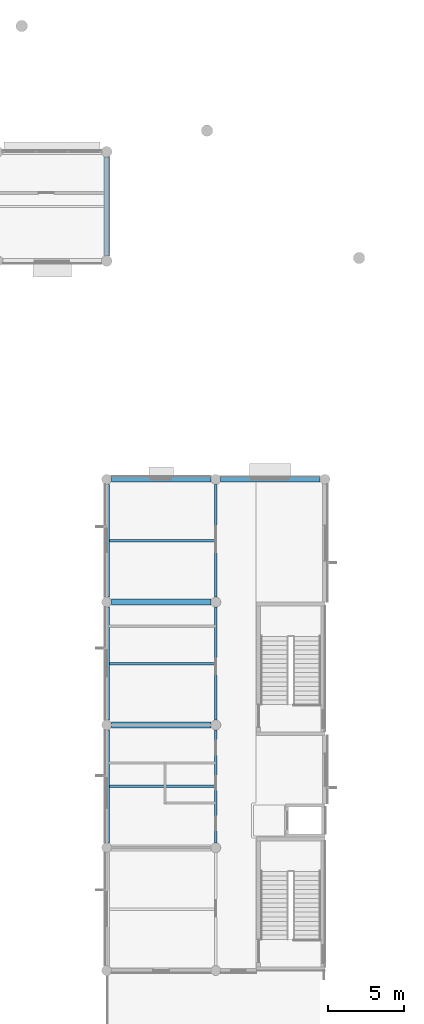
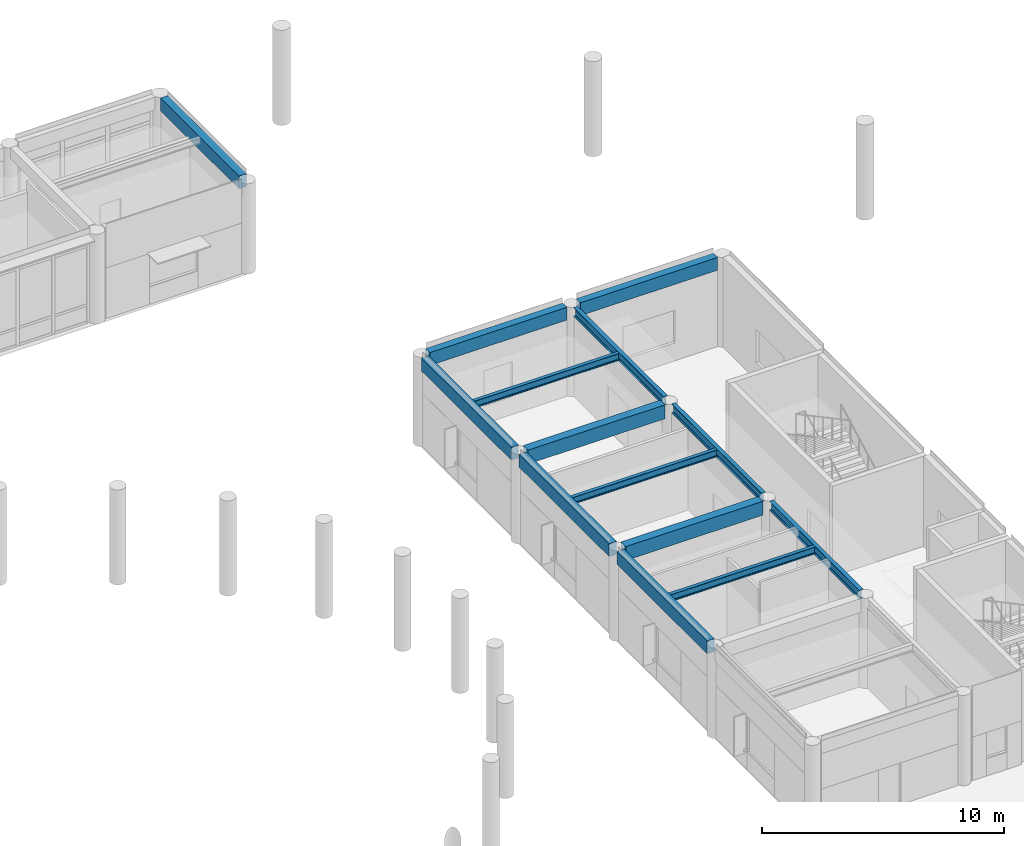
# One storey, part 30 of 92: 14 beams.
"""IFC4 building model written with IfcOpenShell, lengths in metres."""

from ifc_helpers import new_model, si_unit, direction, frame, origin, origin_2d, place, context, subcontext, project, spatial, rectangle, i_section, extrude, material, material_profile, profile_set, type_object, element, save


model = new_model("IFC4")

# Units and contexts
model_context = context("Model", 3, precision=1e-05, world=origin(), true_north=direction((0.0, 1.0)))
body_context = subcontext(model_context, "Body", "Model", "MODEL_VIEW")
ifc_project = project(units=[si_unit("LENGTHUNIT", "METRE"), si_unit("AREAUNIT", "SQUARE_METRE"), si_unit("VOLUMEUNIT", "CUBIC_METRE"), si_unit("PLANEANGLEUNIT", "RADIAN"), si_unit("MASSUNIT", "GRAM", prefix="KILO")], contexts=[model_context])

# Site, building, storey
site_placement = place(None, origin())
site = spatial("IfcSite", under=ifc_project, at=site_placement, CompositionType="ELEMENT")
building_placement = place(site_placement, origin())
building = spatial("IfcBuilding", under=site, at=building_placement, Name="Namkhue Oval Health Centre", CompositionType="ELEMENT")
storey_placement = place(building_placement, frame((0.0, 0.0, 4.800048828125)))
storey = spatial("IfcBuildingStorey", under=building, at=storey_placement, Name="L01", CompositionType="ELEMENT", Elevation=4.800048828125)

# Beams
ifc_material_1 = material(Name="Structural steel EN 10025-2 S355JR (TCVN 5575:2024)", Category="steel")
ifc_material_profile_1 = material_profile(ifc_material_1, i_section(OverallWidth=0.18994140625, OverallDepth=0.449951171875, WebThickness=0.009521484375, FlangeThickness=0.0146484375, FilletRadius=0.02099609375, at=origin_2d()), Name="IPE 450")
ifc_profile_set_1 = profile_set([ifc_material_profile_1], Name="Structural steel EN 10025-2 S355JR (TCVN 5575:2024)")
beam_type_1 = type_object("IfcBeamType", Name="FLOOR BEAM STEEL IPE 450", PredefinedType="BEAM", material=ifc_profile_set_1)
for number, where, z_axis, x_axis, name in (
    (1, (144.0, 51.625, 4.3349609375), (0.0, 1.0, 0.0), (-1.0, 0.0, 0.0), "Volume V6 L02 Beam 21/H-J"),
    (2, (144.0, 59.72509765625, 4.3349609375), (0.0, 1.0, 0.0), (-1.0, 0.0, 0.0), "Volume V6 L02 Beam 21/J-K"),
    (3, (144.0, 67.824951171875, 4.29296875), (0.0, 1.0, 0.0), (-1.0, 0.0, 0.0), "Volume V6 L02 Beam 21/K-L"),
):
    element("IfcBeam", number, at=place(storey_placement, frame(where, z_axis=z_axis, x_axis=x_axis)), inside=storey, type_object=beam_type_1, Name=name, PredefinedType="BEAM", context=body_context, shape_type="SweptSolid", body=[
        extrude(i_section(OverallWidth=0.18994140625, OverallDepth=0.449951171875, WebThickness=0.009521484375, FlangeThickness=0.0146484375, FilletRadius=0.02099609375, at=origin_2d()), origin(), (0.0, 0.0, 1.0), 7.449951171875),
    ])
ifc_material_2 = material(Name="Reinforced concrete C35/45 (TCVN B40)", Category="concrete")
ifc_material_profile_2 = material_profile(ifc_material_2, rectangle(XDim=0.35009765625, YDim=0.64990234375, at=origin_2d()), Name="RC 350x650")
ifc_profile_set_2 = profile_set([ifc_material_profile_2], Name="Reinforced concrete C35/45 (TCVN B40)")
beam_type_2 = type_object("IfcBeamType", Name="PERIMETER SPANDREL BEAM 350X650", PredefinedType="SPANDREL", material=ifc_profile_set_2)
beam_placement = place(storey_placement, frame((136.800048828125, 90.35009765625, 4.237060546875), z_axis=(0.0, 1.0, 0.0), x_axis=(-1.0, 0.0, 0.0)))
element("IfcBeam", 4, at=beam_placement, inside=storey, type_object=beam_type_2, Name="Volume V3 L02 Beam 20/N-O", PredefinedType="SPANDREL", context=body_context, shape_type="SweptSolid", body=[
    extrude(rectangle(XDim=0.35009765625, YDim=0.64990234375, at=origin_2d()), origin(), (0.0, 0.0, 1.0), 6.5),
])
for number, where, z_axis, x_axis, name in (
    (5, (137.125, 75.60009765625, 4.19287109375), (1.0, 0.0, 0.0), (0.0, 1.0, 0.0), "Volume V6 L02 Girder L/20-21"),
    (6, (144.324951171875, 75.60009765625, 4.19287109375), (1.0, 0.0, 0.0), (0.0, 1.0, 0.0), "Volume V6 L02 Girder L/21-22"),
):
    element("IfcBeam", number, at=place(storey_placement, frame(where, z_axis=z_axis, x_axis=x_axis)), inside=storey, type_object=beam_type_2, Name=name, PredefinedType="SPANDREL", context=body_context, shape_type="SweptSolid", body=[
        extrude(rectangle(XDim=0.35009765625, YDim=0.64990234375, at=origin_2d()), origin(), (0.0, 0.0, 1.0), 6.550048828125),
    ])
for number, where, z_axis, x_axis, name in (
    (7, (136.800048828125, 51.625, 4.23486328125), (0.0, 1.0, 0.0), (-1.0, 0.0, 0.0), "Volume V6 L02 Beam 20/H-J"),
    (8, (136.800048828125, 59.72509765625, 4.23486328125), (0.0, 1.0, 0.0), (-1.0, 0.0, 0.0), "Volume V6 L02 Beam 20/J-K"),
    (9, (136.800048828125, 67.824951171875, 4.19287109375), (0.0, 1.0, 0.0), (-1.0, 0.0, 0.0), "Volume V6 L02 Beam 20/K-L"),
):
    element("IfcBeam", number, at=place(storey_placement, frame(where, z_axis=z_axis, x_axis=x_axis)), inside=storey, type_object=beam_type_2, Name=name, PredefinedType="SPANDREL", context=body_context, shape_type="SweptSolid", body=[
        extrude(rectangle(XDim=0.35009765625, YDim=0.64990234375, at=origin_2d()), origin(), (0.0, 0.0, 1.0), 7.449951171875),
    ])
ifc_material_profile_3 = material_profile(ifc_material_2, rectangle(XDim=0.39990234375, YDim=0.699951171875, at=origin_2d()), Name="RC 400x700")
ifc_profile_set_3 = profile_set([ifc_material_profile_3], Name="Reinforced concrete C35/45 (TCVN B40)")
beam_type_3 = type_object("IfcBeamType", Name="PRIMARY GIRDER RC 400X700", PredefinedType="USERDEFINED", material=ifc_profile_set_3)
for number, where, z_axis, x_axis, name in (
    (10, (137.125, 59.39990234375, 4.2099609375), (1.0, 0.0, 0.0), (0.0, 1.0, 0.0), "Volume V6 L02 Girder J/20-21"),
    (11, (137.125, 67.5, 4.16796875), (1.0, 0.0, 0.0), (0.0, 1.0, 0.0), "Volume V6 L02 Girder K/20-21"),
):
    element("IfcBeam", number, at=place(storey_placement, frame(where, z_axis=z_axis, x_axis=x_axis)), inside=storey, type_object=beam_type_3, Name=name, ObjectType="GIRDER", PredefinedType="USERDEFINED", context=body_context, shape_type="SweptSolid", body=[
        extrude(rectangle(XDim=0.39990234375, YDim=0.699951171875, at=origin_2d()), origin(), (0.0, 0.0, 1.0), 6.550048828125),
    ])
ifc_material_profile_4 = material_profile(ifc_material_1, i_section(OverallWidth=0.169921875, OverallDepth=0.360107421875, WebThickness=0.008056640625, FlangeThickness=0.0126953125, FilletRadius=0.01806640625, at=origin_2d()), Name="IPE 360")
ifc_profile_set_4 = profile_set([ifc_material_profile_4], Name="Structural steel EN 10025-2 S355JR (TCVN 5575:2024)")
beam_type_4 = type_object("IfcBeamType", Name="SECONDARY JOIST STEEL IPE 360", PredefinedType="JOIST", material=ifc_profile_set_4)
for number, where, z_axis, x_axis, name in (
    (12, (136.97509765625, 55.35009765625, 4.3798828125), (1.0, 0.0, 0.0), (0.0, 1.0, 0.0), "Volume V6 L02 Secondary Joist 20-21"),
    (13, (136.97509765625, 63.449951171875, 4.3798828125), (1.0, 0.0, 0.0), (0.0, 1.0, 0.0), "Volume V6 L02 Secondary Joist 20-21"),
    (14, (136.97509765625, 71.550048828125, 4.337890625), (1.0, 0.0, 0.0), (0.0, 1.0, 0.0), "Volume V6 L02 Secondary Joist 20-21"),
):
    element("IfcBeam", number, at=place(storey_placement, frame(where, z_axis=z_axis, x_axis=x_axis)), inside=storey, type_object=beam_type_4, Name=name, PredefinedType="JOIST", context=body_context, shape_type="SweptSolid", body=[
        extrude(i_section(OverallWidth=0.169921875, OverallDepth=0.360107421875, WebThickness=0.008056640625, FlangeThickness=0.0126953125, FilletRadius=0.01806640625, at=origin_2d()), origin(), (0.0, 0.0, 1.0), 6.929931640625),
    ])

save(model, "model.ifc")
